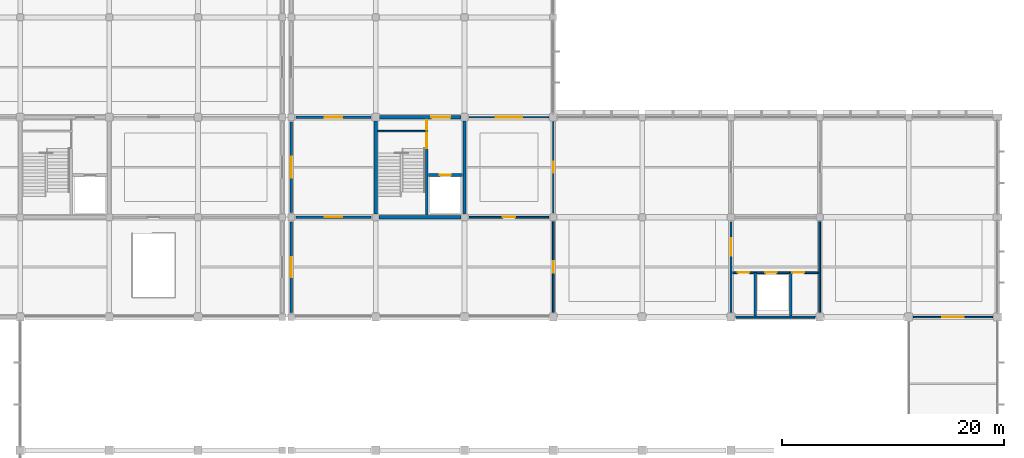
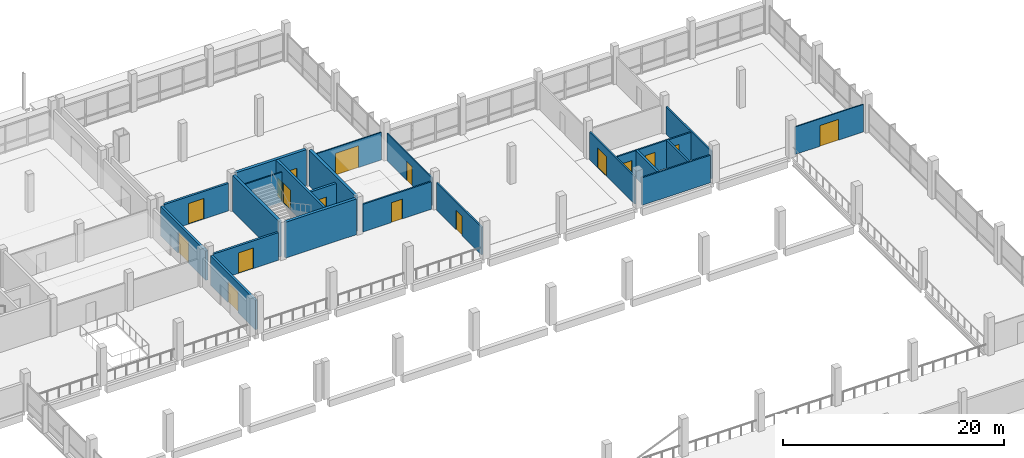
# One storey, part 49 of 57: 22 walls, 17 doors, 17 openings.
"""IFC4 building model written with IfcOpenShell, lengths in metres."""

from ifc_helpers import new_model, si_unit, direction, frame, frame_2d, origin, place, context, subcontext, project, spatial, rectangle, extrude, material, layer, layer_set, type_object, element, fill, save


model = new_model("IFC4")

# Units and contexts
model_context = context("Model", 3, precision=1e-05, world=origin(), true_north=direction((0.0, 1.0)))
body_context = subcontext(model_context, "Body", "Model", "MODEL_VIEW")
ifc_project = project(units=[si_unit("LENGTHUNIT", "METRE"), si_unit("AREAUNIT", "SQUARE_METRE"), si_unit("VOLUMEUNIT", "CUBIC_METRE"), si_unit("PLANEANGLEUNIT", "RADIAN"), si_unit("MASSUNIT", "GRAM", prefix="KILO"), si_unit("THERMODYNAMICTEMPERATUREUNIT", "KELVIN"), si_unit("POWERUNIT", "WATT")], contexts=[model_context])

# Site, building, storey
site_placement = place(None, origin())
site = spatial("IfcSite", under=ifc_project, at=site_placement, CompositionType="ELEMENT")
building_placement = place(site_placement, origin())
building = spatial("IfcBuilding", under=site, at=building_placement, Name="Kronsvod Quay Wholesale Market", CompositionType="ELEMENT")
storey_placement = place(building_placement, frame((0.0, 0.0, 4.800048828125)))
storey = spatial("IfcBuildingStorey", under=building, at=storey_placement, Name="L01", CompositionType="ELEMENT", Elevation=4.800048828125)

# Wall
ifc_material_1 = material(Name="Concrete C35/45", Category="concrete")
ifc_layer_1 = layer(ifc_material_1, 0.300048828125)
ifc_layer_set_1 = layer_set([ifc_layer_1], Name="Concrete C35/45")
wall_type_1 = type_object("IfcWallType", Name="Wall_CoreShear300", PredefinedType="SHEAR", material=ifc_layer_set_1)
wall_1_placement = place(storey_placement, frame((136.294921875, 99.0, 0.0), z_axis=(0.0, 0.0, 1.0), x_axis=(1.0, 0.0, 0.0)))
element("IfcWall", 1, at=wall_1_placement, inside=storey, type_object=wall_type_1, Name="CW-C10-L01-S", PredefinedType="SHEAR", context=body_context, shape_type="SweptSolid", body=[
    extrude(rectangle(XDim=7.41015625, YDim=0.300048828125, at=frame_2d((3.705078125, 0.0))), origin(), (0.0, 0.0, 1.0), 3.954833984375),
])

# Wall, opening, door
wall_2_placement = place(storey_placement, frame((136.320068359375, 108.0, 0.0), z_axis=(0.0, 0.0, 1.0), x_axis=(1.0, 0.0, 0.0)))
wall_2 = element("IfcWall", 2, at=wall_2_placement, inside=storey, type_object=wall_type_1, Name="CW-C10-L01-N", PredefinedType="SHEAR", context=body_context, shape_type="SweptSolid", body=[
    extrude(rectangle(XDim=7.35986328125, YDim=0.300048828125, at=frame_2d((3.679931640625, 0.0))), origin(), (0.0, 0.0, 1.0), 3.954833984375),
])
opening_1_placement = place(wall_2_placement, frame((4.699951171875, 0.0, 0.0)))
opening_1 = element("IfcOpeningElement", 3, at=opening_1_placement, cuts=wall_2, Name="Opening D-0112", PredefinedType="OPENING", context=body_context, shape_type="SweptSolid", body=[
    extrude(rectangle(XDim=1.699951171875, YDim=2.25, at=frame_2d((0.85009765625, 1.125))), frame((0.0, 0.16015625, 0.0), z_axis=(0.0, -1.0, 0.0), x_axis=(1.0, 0.0, 0.0)), (0.0, 0.0, 1.0), 0.320068359375),
])
ifc_material_2 = material(Name="Painted galvanized fire steel", Category="steel")
door_type_1 = type_object("IfcDoorType", Name="Door_FireLobby170x225", OperationType="DOUBLE_DOOR_SINGLE_SWING", PredefinedType="DOOR", material=ifc_material_2)
door_1_placement = place(opening_1_placement, origin())
door_1 = element("IfcDoor", 4, at=door_1_placement, inside=storey, type_object=door_type_1, Name="Core Lobby Door D-0112", OperationType="DOUBLE_DOOR_SINGLE_SWING", OverallHeight=2.25, OverallWidth=1.699951171875, PredefinedType="DOOR", context=body_context, shape_type="SweptSolid", body=[
    extrude(rectangle(XDim=1.699951171875, YDim=2.25, at=frame_2d((0.85009765625, 1.125))), frame((0.0, 0.02490234375, 0.0), z_axis=(0.0, -1.0, 0.0), x_axis=(1.0, 0.0, 0.0)), (0.0, 0.0, 1.0), 0.050048828125),
])
fill(opening_1, door_1)

# Walls
for number, where, z_axis, x_axis, name in (
    (5, (136.0, 99.294921875, 0.0), (0.0, 0.0, 1.0), (0.0, 1.0, 0.0), "CW-C10-L01-W"),
    (6, (144.0, 99.294921875, 0.0), (0.0, 0.0, 1.0), (0.0, 1.0, 0.0), "CW-C10-L01-E"),
):
    element("IfcWall", number, at=place(storey_placement, frame(where, z_axis=z_axis, x_axis=x_axis)), inside=storey, type_object=wall_type_1, Name=name, PredefinedType="SHEAR", context=body_context, shape_type="SweptSolid", body=[
        extrude(rectangle(XDim=8.385009765625, YDim=0.300048828125, at=frame_2d((4.1923828125, 0.0))), origin(), (0.0, 0.0, 1.0), 3.954833984375),
    ])

# Wall, opening, door
ifc_material_3 = material(Name="Precast concrete C40/50", Category="concrete")
ifc_layer_2 = layer(ifc_material_3, 0.239990234375)
ifc_layer_set_2 = layer_set([ifc_layer_2], Name="Precast concrete C40/50")
wall_type_2 = type_object("IfcWallType", Name="Wall_ExtSpandrel240", PredefinedType="SOLIDWALL", material=ifc_layer_set_2)
wall_3_placement = place(storey_placement, frame((128.39990234375, 90.419921875, 0.0), z_axis=(0.0, 0.0, 1.0), x_axis=(0.0, 1.0, 0.0)))
wall_3 = element("IfcWall", 7, at=wall_3_placement, inside=storey, type_object=wall_type_2, Name="MJWG-L01-1284-900", PredefinedType="SOLIDWALL", context=body_context, shape_type="SweptSolid", body=[
    extrude(rectangle(XDim=8.16015625, YDim=0.239990234375, at=frame_2d((4.080078125, 0.0))), origin(), (0.0, 0.0, 1.0), 3.239990234375),
])
opening_2_placement = place(wall_3_placement, frame((3.179931640625, 0.0, 0.0)))
opening_2 = element("IfcOpeningElement", 8, at=opening_2_placement, cuts=wall_3, Name="Opening D-0370", PredefinedType="OPENING", context=body_context, shape_type="SweptSolid", body=[
    extrude(rectangle(XDim=1.800048828125, YDim=2.300048828125, at=frame_2d((0.89990234375, 1.14990234375))), frame((0.0, 0.1298828125, 0.0), z_axis=(0.0, -1.0, 0.0), x_axis=(1.0, 0.0, 0.0)), (0.0, 0.0, 1.0), 0.260009765625),
])
ifc_material_4 = material(Name="Painted galvanized fire steel", Category="steel")
door_type_2 = type_object("IfcDoorType", Name="Door_FireComp180x230", OperationType="DOUBLE_DOOR_SINGLE_SWING", PredefinedType="DOOR", material=ifc_material_4)
door_2_placement = place(opening_2_placement, origin())
door_2 = element("IfcDoor", 9, at=door_2_placement, inside=storey, type_object=door_type_2, Name="Fire Compartment Door D-0370", OperationType="DOUBLE_DOOR_SINGLE_SWING", OverallHeight=2.300048828125, OverallWidth=1.800048828125, PredefinedType="DOOR", context=body_context, shape_type="SweptSolid", body=[
    extrude(rectangle(XDim=1.800048828125, YDim=2.300048828125, at=frame_2d((0.89990234375, 1.14990234375))), frame((0.0, 0.02490234375, 0.0), z_axis=(0.0, -1.0, 0.0), x_axis=(1.0, 0.0, 0.0)), (0.0, 0.0, 1.0), 0.050048828125),
])
fill(opening_2, door_2)

wall_4_placement = place(storey_placement, frame((128.39990234375, 99.419921875, 0.0), z_axis=(0.0, 0.0, 1.0), x_axis=(0.0, 1.0, 0.0)))
wall_4 = element("IfcWall", 10, at=wall_4_placement, inside=storey, type_object=wall_type_2, Name="MJWG-L01-1284-990", PredefinedType="SOLIDWALL", context=body_context, shape_type="SweptSolid", body=[
    extrude(rectangle(XDim=8.16015625, YDim=0.239990234375, at=frame_2d((4.080078125, 0.0))), origin(), (0.0, 0.0, 1.0), 3.239990234375),
])
opening_3_placement = place(wall_4_placement, frame((3.1298828125, 0.0, 0.0)))
opening_3 = element("IfcOpeningElement", 11, at=opening_3_placement, cuts=wall_4, Name="Opening D-0371", PredefinedType="OPENING", context=body_context, shape_type="SweptSolid", body=[
    extrude(rectangle(XDim=1.89990234375, YDim=2.35009765625, at=frame_2d((0.949951171875, 1.175048828125))), frame((0.0, 0.1298828125, 0.0), z_axis=(0.0, -1.0, 0.0), x_axis=(1.0, 0.0, 0.0)), (0.0, 0.0, 1.0), 0.260009765625),
])
ifc_material_5 = material(Name="Painted galvanized fire steel", Category="steel")
door_type_3 = type_object("IfcDoorType", Name="Door_FireComp190x235", OperationType="DOUBLE_DOOR_SINGLE_SWING", PredefinedType="DOOR", material=ifc_material_5)
door_3_placement = place(opening_3_placement, origin())
door_3 = element("IfcDoor", 12, at=door_3_placement, inside=storey, type_object=door_type_3, Name="Fire Compartment Door D-0371", OperationType="DOUBLE_DOOR_SINGLE_SWING", OverallHeight=2.35009765625, OverallWidth=1.89990234375, PredefinedType="DOOR", context=body_context, shape_type="SweptSolid", body=[
    extrude(rectangle(XDim=1.89990234375, YDim=2.35009765625, at=frame_2d((0.949951171875, 1.175048828125))), frame((0.0, 0.02490234375, 0.0), z_axis=(0.0, -1.0, 0.0), x_axis=(1.0, 0.0, 0.0)), (0.0, 0.0, 1.0), 0.050048828125),
])
fill(opening_3, door_3)

# Walls
ifc_material_6 = material(Name="Concrete C35/45", Category="concrete")
ifc_layer_3 = layer(ifc_material_6, 0.219970703125)
ifc_layer_set_3 = layer_set([ifc_layer_3], Name="Concrete C35/45")
wall_type_3 = type_object("IfcWallType", Name="Wall_FireComp220", PredefinedType="SOLIDWALL", material=ifc_layer_set_3)
for number, where, z_axis, x_axis, name in (
    (13, (170.199951171875, 90.080078125, 0.0), (0.0, 0.0, 1.0), (0.0, 1.0, 0.0), "LFX-L01-W1"),
    (14, (173.39990234375, 90.080078125, 0.0), (0.0, 0.0, 1.0), (0.0, 1.0, 0.0), "LFX-L01-W2"),
):
    element("IfcWall", number, at=place(storey_placement, frame(where, z_axis=z_axis, x_axis=x_axis)), inside=storey, type_object=wall_type_3, Name=name, PredefinedType="SOLIDWALL", context=body_context, shape_type="SweptSolid", body=[
        extrude(rectangle(XDim=3.919921875, YDim=0.219970703125, at=frame_2d((1.9599609375, 0.0))), origin(), (0.0, 0.0, 1.0), 3.050048828125),
    ])

# Wall, opening, door
wall_5_placement = place(storey_placement, frame((128.820068359375, 99.0, 0.0), z_axis=(0.0, 0.0, 1.0), x_axis=(1.0, 0.0, 0.0)))
wall_5 = element("IfcWall", 15, at=wall_5_placement, inside=storey, type_object=wall_type_3, Name="PW-L01-0076", PredefinedType="SOLIDWALL", context=body_context, shape_type="SweptSolid", body=[
    extrude(rectangle(XDim=6.760009765625, YDim=0.219970703125, at=frame_2d((3.3798828125, 0.0))), origin(), (0.0, 0.0, 1.0), 3.050048828125),
])
opening_4_placement = place(wall_5_placement, frame((2.580078125, 0.0, 0.0)))
opening_4 = element("IfcOpeningElement", 16, at=opening_4_placement, cuts=wall_5, Name="Opening D-0258", PredefinedType="OPENING", context=body_context, shape_type="SweptSolid", body=[
    extrude(rectangle(XDim=1.60009765625, YDim=2.280029296875, at=frame_2d((0.800048828125, 1.14013671875))), frame((0.0, 0.1201171875, 0.0), z_axis=(0.0, -1.0, 0.0), x_axis=(1.0, 0.0, 0.0)), (0.0, 0.0, 1.0), 0.239990234375),
])
ifc_material_7 = material(Name="Painted steel plant door", Category="steel")
door_type_4 = type_object("IfcDoorType", Name="Door_Plant160x228", OperationType="DOUBLE_DOOR_SINGLE_SWING", PredefinedType="DOOR", material=ifc_material_7)
door_4_placement = place(opening_4_placement, origin())
door_4 = element("IfcDoor", 17, at=door_4_placement, inside=storey, type_object=door_type_4, Name="Interior Door D-0258", OperationType="DOUBLE_DOOR_SINGLE_SWING", OverallHeight=2.280029296875, OverallWidth=1.60009765625, PredefinedType="DOOR", context=body_context, shape_type="SweptSolid", body=[
    extrude(rectangle(XDim=1.60009765625, YDim=2.280029296875, at=frame_2d((0.800048828125, 1.14013671875))), frame((0.0, 0.02490234375, 0.0), z_axis=(0.0, -1.0, 0.0), x_axis=(1.0, 0.0, 0.0)), (0.0, 0.0, 1.0), 0.050048828125),
])
fill(opening_4, door_4)

wall_6_placement = place(storey_placement, frame((128.820068359375, 108.0, 0.0), z_axis=(0.0, 0.0, 1.0), x_axis=(1.0, 0.0, 0.0)))
wall_6 = element("IfcWall", 18, at=wall_6_placement, inside=storey, type_object=wall_type_3, Name="PW-L01-0088", PredefinedType="SOLIDWALL", context=body_context, shape_type="SweptSolid", body=[
    extrude(rectangle(XDim=6.760009765625, YDim=0.219970703125, at=frame_2d((3.3798828125, 0.0))), origin(), (0.0, 0.0, 1.0), 3.050048828125),
])
opening_5_placement = place(wall_6_placement, frame((2.580078125, 0.0, 0.0)))
opening_5 = element("IfcOpeningElement", 19, at=opening_5_placement, cuts=wall_6, Name="Opening D-0267", PredefinedType="OPENING", context=body_context, shape_type="SweptSolid", body=[
    extrude(rectangle(XDim=1.60009765625, YDim=2.280029296875, at=frame_2d((0.800048828125, 1.14013671875))), frame((0.0, 0.1201171875, 0.0), z_axis=(0.0, -1.0, 0.0), x_axis=(1.0, 0.0, 0.0)), (0.0, 0.0, 1.0), 0.239990234375),
])
door_5_placement = place(opening_5_placement, origin())
door_5 = element("IfcDoor", 20, at=door_5_placement, inside=storey, type_object=door_type_4, Name="Interior Door D-0267", OperationType="DOUBLE_DOOR_SINGLE_SWING", OverallHeight=2.280029296875, OverallWidth=1.60009765625, PredefinedType="DOOR", context=body_context, shape_type="SweptSolid", body=[
    extrude(rectangle(XDim=1.60009765625, YDim=2.280029296875, at=frame_2d((0.800048828125, 1.14013671875))), frame((0.0, 0.02490234375, 0.0), z_axis=(0.0, -1.0, 0.0), x_axis=(1.0, 0.0, 0.0)), (0.0, 0.0, 1.0), 0.050048828125),
])
fill(opening_5, door_5)

ifc_material_8 = material(Name="Fire-rated corridor gypsum partition")
ifc_layer_4 = layer(ifc_material_8, 0.159912109375)
ifc_layer_set_4 = layer_set([ifc_layer_4], Name="Fire-rated corridor gypsum partition")
wall_type_4 = type_object("IfcWallType", Name="Wall_PartCorridor160", PredefinedType="PARTITIONING", material=ifc_layer_set_4)
wall_7_placement = place(storey_placement, frame((168.0, 90.419921875, 0.0), z_axis=(0.0, 0.0, 1.0), x_axis=(0.0, 1.0, 0.0)))
wall_7 = element("IfcWall", 21, at=wall_7_placement, inside=storey, type_object=wall_type_4, Name="LFX-L01-WW", PredefinedType="PARTITIONING", context=body_context, shape_type="SweptSolid", body=[
    extrude(rectangle(XDim=8.16015625, YDim=0.159912109375, at=frame_2d((4.080078125, 0.0))), origin(), (0.0, 0.0, 1.0), 3.050048828125),
])
opening_6_placement = place(wall_7_placement, frame((5.10009765625, 0.0, 0.0)))
opening_6 = element("IfcOpeningElement", 22, at=opening_6_placement, cuts=wall_7, Name="Opening D-0125", PredefinedType="OPENING", context=body_context, shape_type="SweptSolid", body=[
    extrude(rectangle(XDim=1.60009765625, YDim=2.199951171875, at=frame_2d((0.800048828125, 1.10009765625))), frame((0.0, 0.08984375, 0.0), z_axis=(0.0, -1.0, 0.0), x_axis=(1.0, 0.0, 0.0)), (0.0, 0.0, 1.0), 0.179931640625),
])
ifc_material_9 = material(Name="Painted galvanized fire steel", Category="steel")
door_type_5 = type_object("IfcDoorType", Name="Door_FireLobby160x220", OperationType="DOUBLE_DOOR_SINGLE_SWING", PredefinedType="DOOR", material=ifc_material_9)
door_6_placement = place(opening_6_placement, origin())
door_6 = element("IfcDoor", 23, at=door_6_placement, inside=storey, type_object=door_type_5, Name="Lift Lobby Door D-0125", OperationType="DOUBLE_DOOR_SINGLE_SWING", OverallHeight=2.199951171875, OverallWidth=1.60009765625, PredefinedType="DOOR", context=body_context, shape_type="SweptSolid", body=[
    extrude(rectangle(XDim=1.60009765625, YDim=2.199951171875, at=frame_2d((0.800048828125, 1.10009765625))), frame((0.0, 0.02490234375, 0.0), z_axis=(0.0, -1.0, 0.0), x_axis=(1.0, 0.0, 0.0)), (0.0, 0.0, 1.0), 0.050048828125),
])
fill(opening_6, door_6)

# Walls
wall_8_placement = place(storey_placement, frame((176.0, 90.419921875, 0.0), z_axis=(0.0, 0.0, 1.0), x_axis=(0.0, 1.0, 0.0)))
element("IfcWall", 24, at=wall_8_placement, inside=storey, type_object=wall_type_4, Name="LFX-L01-WE", PredefinedType="PARTITIONING", context=body_context, shape_type="SweptSolid", body=[
    extrude(rectangle(XDim=8.16015625, YDim=0.159912109375, at=frame_2d((4.080078125, 0.0))), origin(), (0.0, 0.0, 1.0), 3.050048828125),
])
wall_9_placement = place(storey_placement, frame((168.419921875, 90.0, 0.0), z_axis=(0.0, 0.0, 1.0), x_axis=(1.0, 0.0, 0.0)))
element("IfcWall", 25, at=wall_9_placement, inside=storey, type_object=wall_type_4, Name="LFX-L01-WS", PredefinedType="PARTITIONING", context=body_context, shape_type="SweptSolid", body=[
    extrude(rectangle(XDim=7.16015625, YDim=0.159912109375, at=frame_2d((3.580078125, 0.0))), origin(), (0.0, 0.0, 1.0), 3.050048828125),
])

# Wall, openings, doors
wall_10_placement = place(storey_placement, frame((168.159912109375, 94.0, 0.0), z_axis=(0.0, 0.0, 1.0), x_axis=(1.0, 0.0, 0.0)))
wall_10 = element("IfcWall", 26, at=wall_10_placement, inside=storey, type_object=wall_type_4, Name="LFX-L01-WF", PredefinedType="PARTITIONING", context=body_context, shape_type="SweptSolid", body=[
    extrude(rectangle(XDim=7.68017578125, YDim=0.159912109375, at=frame_2d((3.840087890625, 0.0))), origin(), (0.0, 0.0, 1.0), 3.050048828125),
])
opening_7_placement = place(wall_10_placement, frame((0.449951171875, 0.0, 0.0)))
opening_7 = element("IfcOpeningElement", 27, at=opening_7_placement, cuts=wall_10, Name="Opening D-0122", PredefinedType="OPENING", context=body_context, shape_type="SweptSolid", body=[
    extrude(rectangle(XDim=1.050048828125, YDim=2.10009765625, at=frame_2d((0.52490234375, 1.050048828125))), frame((0.0, 0.08984375, 0.0), z_axis=(0.0, -1.0, 0.0), x_axis=(1.0, 0.0, 0.0)), (0.0, 0.0, 1.0), 0.179931640625),
])
opening_8_placement = place(wall_10_placement, frame((2.949951171875, 0.0, 0.0)))
opening_8 = element("IfcOpeningElement", 28, at=opening_8_placement, cuts=wall_10, Name="Opening D-0123", PredefinedType="OPENING", context=body_context, shape_type="SweptSolid", body=[
    extrude(rectangle(XDim=1.0, YDim=2.14990234375, at=frame_2d((0.5, 1.074951171875))), frame((0.0, 0.08984375, 0.0), z_axis=(0.0, -1.0, 0.0), x_axis=(1.0, 0.0, 0.0)), (0.0, 0.0, 1.0), 0.179931640625),
])
opening_9_placement = place(wall_10_placement, frame((5.35009765625, 0.0, 0.0)))
opening_9 = element("IfcOpeningElement", 29, at=opening_9_placement, cuts=wall_10, Name="Opening D-0124", PredefinedType="OPENING", context=body_context, shape_type="SweptSolid", body=[
    extrude(rectangle(XDim=1.10009765625, YDim=2.14990234375, at=frame_2d((0.550048828125, 1.074951171875))), frame((0.0, 0.08984375, 0.0), z_axis=(0.0, -1.0, 0.0), x_axis=(1.0, 0.0, 0.0)), (0.0, 0.0, 1.0), 0.179931640625),
])
ifc_material_10 = material(Name="Accessible outward-swing laminate door", Category="wood")
door_type_6 = type_object("IfcDoorType", Name="Door_AccWC108x212", OperationType="NOTDEFINED", PredefinedType="DOOR", material=ifc_material_10)
door_7_placement = place(opening_7_placement, origin())
door_7 = element("IfcDoor", 30, at=door_7_placement, inside=storey, type_object=door_type_6, Name="Accessible WC Door D-0122", OperationType="SINGLE_SWING_LEFT", OverallHeight=2.10009765625, OverallWidth=1.050048828125, PredefinedType="DOOR", context=body_context, shape_type="SweptSolid", body=[
    extrude(rectangle(XDim=1.050048828125, YDim=2.10009765625, at=frame_2d((0.52490234375, 1.050048828125))), frame((0.0, 0.02490234375, 0.0), z_axis=(0.0, -1.0, 0.0), x_axis=(1.0, 0.0, 0.0)), (0.0, 0.0, 1.0), 0.050048828125),
])
fill(opening_7, door_7)
ifc_material_11 = material(Name="Brushed stainless steel", Category="steel")
door_type_7 = type_object("IfcDoorType", Name="Door_LiftLandingPax", OperationType="SLIDING_TO_LEFT", PredefinedType="DOOR", material=ifc_material_11)
door_8_placement = place(opening_8_placement, origin())
door_8 = element("IfcDoor", 31, at=door_8_placement, inside=storey, type_object=door_type_7, Name="Lift Landing Door LFT-P06 L01", OperationType="SLIDING_TO_LEFT", OverallHeight=2.14990234375, OverallWidth=1.0, PredefinedType="DOOR", context=body_context, shape_type="SweptSolid", body=[
    extrude(rectangle(XDim=1.0, YDim=2.14990234375, at=frame_2d((0.5, 1.074951171875))), frame((0.0, 0.02490234375, 0.0), z_axis=(0.0, -1.0, 0.0), x_axis=(1.0, 0.0, 0.0)), (0.0, 0.0, 1.0), 0.050048828125),
])
fill(opening_8, door_8)
ifc_material_12 = material(Name="Painted steel store door", Category="steel")
door_type_8 = type_object("IfcDoorType", Name="Door_Store110x215", OperationType="NOTDEFINED", PredefinedType="DOOR", material=ifc_material_12)
door_9_placement = place(opening_9_placement, origin())
door_9 = element("IfcDoor", 32, at=door_9_placement, inside=storey, type_object=door_type_8, Name="Cleaners' Store Door D-0124", OperationType="SINGLE_SWING_RIGHT", OverallHeight=2.14990234375, OverallWidth=1.10009765625, PredefinedType="DOOR", context=body_context, shape_type="SweptSolid", body=[
    extrude(rectangle(XDim=1.10009765625, YDim=2.14990234375, at=frame_2d((0.550048828125, 1.074951171875))), frame((0.0, 0.02490234375, 0.0), z_axis=(0.0, -1.0, 0.0), x_axis=(1.0, 0.0, 0.0)), (0.0, 0.0, 1.0), 0.050048828125),
])
fill(opening_9, door_9)

# Wall, opening, door
wall_11_placement = place(storey_placement, frame((152.0, 90.419921875, 0.0), z_axis=(0.0, 0.0, 1.0), x_axis=(0.0, 1.0, 0.0)))
wall_11 = element("IfcWall", 33, at=wall_11_placement, inside=storey, type_object=wall_type_4, Name="PW-L01-0064", PredefinedType="PARTITIONING", context=body_context, shape_type="SweptSolid", body=[
    extrude(rectangle(XDim=8.16015625, YDim=0.159912109375, at=frame_2d((4.080078125, 0.0))), origin(), (0.0, 0.0, 1.0), 3.050048828125),
])
opening_10_placement = place(wall_11_placement, frame((3.554931640625, 0.0, 0.0)))
opening_10 = element("IfcOpeningElement", 34, at=opening_10_placement, cuts=wall_11, Name="Opening D-0249", PredefinedType="OPENING", context=body_context, shape_type="SweptSolid", body=[
    extrude(rectangle(XDim=1.050048828125, YDim=2.14990234375, at=frame_2d((0.52490234375, 1.074951171875))), frame((0.0, 0.08984375, 0.0), z_axis=(0.0, -1.0, 0.0), x_axis=(1.0, 0.0, 0.0)), (0.0, 0.0, 1.0), 0.179931640625),
])
ifc_material_13 = material(Name="Solid-core timber office door", Category="wood")
door_type_9 = type_object("IfcDoorType", Name="Door_Office105x215", OperationType="NOTDEFINED", PredefinedType="DOOR", material=ifc_material_13)
door_10_placement = place(opening_10_placement, origin())
door_10 = element("IfcDoor", 35, at=door_10_placement, inside=storey, type_object=door_type_9, Name="Interior Door D-0249", OperationType="SINGLE_SWING_LEFT", OverallHeight=2.14990234375, OverallWidth=1.050048828125, PredefinedType="DOOR", context=body_context, shape_type="SweptSolid", body=[
    extrude(rectangle(XDim=1.050048828125, YDim=2.14990234375, at=frame_2d((0.52490234375, 1.074951171875))), frame((0.0, 0.02490234375, 0.0), z_axis=(0.0, -1.0, 0.0), x_axis=(1.0, 0.0, 0.0)), (0.0, 0.0, 1.0), 0.050048828125),
])
fill(opening_10, door_10)

wall_12_placement = place(storey_placement, frame((144.419921875, 99.0, 0.0), z_axis=(0.0, 0.0, 1.0), x_axis=(1.0, 0.0, 0.0)))
wall_12 = element("IfcWall", 36, at=wall_12_placement, inside=storey, type_object=wall_type_4, Name="PW-L01-0077", PredefinedType="PARTITIONING", context=body_context, shape_type="SweptSolid", body=[
    extrude(rectangle(XDim=7.16015625, YDim=0.159912109375, at=frame_2d((3.580078125, 0.0))), origin(), (0.0, 0.0, 1.0), 3.050048828125),
])
opening_11_placement = place(wall_12_placement, frame((3.010009765625, 0.0, 0.0)))
opening_11 = element("IfcOpeningElement", 37, at=opening_11_placement, cuts=wall_12, Name="Opening D-0259", PredefinedType="OPENING", context=body_context, shape_type="SweptSolid", body=[
    extrude(rectangle(XDim=1.139892578125, YDim=2.18994140625, at=frame_2d((0.56982421875, 1.094970703125))), frame((0.0, 0.08984375, 0.0), z_axis=(0.0, -1.0, 0.0), x_axis=(1.0, 0.0, 0.0)), (0.0, 0.0, 1.0), 0.179931640625),
])
ifc_material_14 = material(Name="Solid-core timber office door", Category="wood")
door_type_10 = type_object("IfcDoorType", Name="Door_Office114x219", OperationType="NOTDEFINED", PredefinedType="DOOR", material=ifc_material_14)
door_11_placement = place(opening_11_placement, origin())
door_11 = element("IfcDoor", 38, at=door_11_placement, inside=storey, type_object=door_type_10, Name="Interior Door D-0259", OperationType="SINGLE_SWING_LEFT", OverallHeight=2.18994140625, OverallWidth=1.139892578125, PredefinedType="DOOR", context=body_context, shape_type="SweptSolid", body=[
    extrude(rectangle(XDim=1.139892578125, YDim=2.18994140625, at=frame_2d((0.56982421875, 1.094970703125))), frame((0.0, 0.02490234375, 0.0), z_axis=(0.0, -1.0, 0.0), x_axis=(1.0, 0.0, 0.0)), (0.0, 0.0, 1.0), 0.050048828125),
])
fill(opening_11, door_11)

ifc_material_15 = material(Name="Framed acoustic glass hall partition", Category="glass")
ifc_layer_5 = layer(ifc_material_15, 0.114990234375)
ifc_layer_set_5 = layer_set([ifc_layer_5], Name="Framed acoustic glass hall partition")
wall_type_5 = type_object("IfcWallType", Name="Wall_PartGlazed115", PredefinedType="PARTITIONING", material=ifc_layer_set_5)
wall_13_placement = place(storey_placement, frame((184.419921875, 90.0, 0.0), z_axis=(0.0, 0.0, 1.0), x_axis=(1.0, 0.0, 0.0)))
wall_13 = element("IfcWall", 39, at=wall_13_placement, inside=storey, type_object=wall_type_5, Name="PW-L01-0062", PredefinedType="PARTITIONING", context=body_context, shape_type="SweptSolid", body=[
    extrude(rectangle(XDim=7.16015625, YDim=0.114990234375, at=frame_2d((3.580078125, 0.0))), origin(), (0.0, 0.0, 1.0), 3.050048828125),
])
opening_12_placement = place(wall_13_placement, frame((2.60498046875, 0.0, 0.0)))
opening_12 = element("IfcOpeningElement", 40, at=opening_12_placement, cuts=wall_13, Name="Opening D-0247", PredefinedType="OPENING", context=body_context, shape_type="SweptSolid", body=[
    extrude(rectangle(XDim=1.949951171875, YDim=2.300048828125, at=frame_2d((0.97509765625, 1.14990234375))), frame((0.0, 0.0673828125, 0.0), z_axis=(0.0, -1.0, 0.0), x_axis=(1.0, 0.0, 0.0)), (0.0, 0.0, 1.0), 0.135009765625),
])
ifc_material_16 = material(Name="Glazed aluminium hall portal", Category="aluminium")
door_type_11 = type_object("IfcDoorType", Name="Door_HallPortal195x230", OperationType="DOUBLE_DOOR_SINGLE_SWING", PredefinedType="DOOR", material=ifc_material_16)
door_12_placement = place(opening_12_placement, origin())
door_12 = element("IfcDoor", 41, at=door_12_placement, inside=storey, type_object=door_type_11, Name="Interior Door D-0247", OperationType="DOUBLE_DOOR_SINGLE_SWING", OverallHeight=2.300048828125, OverallWidth=1.949951171875, PredefinedType="DOOR", context=body_context, shape_type="SweptSolid", body=[
    extrude(rectangle(XDim=1.949951171875, YDim=2.300048828125, at=frame_2d((0.97509765625, 1.14990234375))), frame((0.0, 0.02490234375, 0.0), z_axis=(0.0, -1.0, 0.0), x_axis=(1.0, 0.0, 0.0)), (0.0, 0.0, 1.0), 0.050048828125),
])
fill(opening_12, door_12)

wall_14_placement = place(storey_placement, frame((144.419921875, 108.0, 0.0), z_axis=(0.0, 0.0, 1.0), x_axis=(1.0, 0.0, 0.0)))
wall_14 = element("IfcWall", 42, at=wall_14_placement, inside=storey, type_object=wall_type_5, Name="PW-L01-0089", PredefinedType="PARTITIONING", context=body_context, shape_type="SweptSolid", body=[
    extrude(rectangle(XDim=7.16015625, YDim=0.114990234375, at=frame_2d((3.580078125, 0.0))), origin(), (0.0, 0.0, 1.0), 3.050048828125),
])
opening_13_placement = place(wall_14_placement, frame((2.3798828125, 0.0, 0.0)))
opening_13 = element("IfcOpeningElement", 43, at=opening_13_placement, cuts=wall_14, Name="Opening D-0268", PredefinedType="OPENING", context=body_context, shape_type="SweptSolid", body=[
    extrude(rectangle(XDim=2.39990234375, YDim=2.39990234375, at=frame_2d((1.199951171875, 1.199951171875))), frame((0.0, 0.0673828125, 0.0), z_axis=(0.0, -1.0, 0.0), x_axis=(1.0, 0.0, 0.0)), (0.0, 0.0, 1.0), 0.135009765625),
])
ifc_material_17 = material(Name="Glazed aluminium hall portal", Category="aluminium")
door_type_12 = type_object("IfcDoorType", Name="Door_HallPortal240x240", OperationType="DOUBLE_DOOR_SINGLE_SWING", PredefinedType="DOOR", material=ifc_material_17)
door_13_placement = place(opening_13_placement, origin())
door_13 = element("IfcDoor", 44, at=door_13_placement, inside=storey, type_object=door_type_12, Name="Interior Door D-0268", OperationType="DOUBLE_DOOR_SINGLE_SWING", OverallHeight=2.39990234375, OverallWidth=2.39990234375, PredefinedType="DOOR", context=body_context, shape_type="SweptSolid", body=[
    extrude(rectangle(XDim=2.39990234375, YDim=2.39990234375, at=frame_2d((1.199951171875, 1.199951171875))), frame((0.0, 0.02490234375, 0.0), z_axis=(0.0, -1.0, 0.0), x_axis=(1.0, 0.0, 0.0)), (0.0, 0.0, 1.0), 0.050048828125),
])
fill(opening_13, door_13)

ifc_material_18 = material(Name="Lightweight demountable office partition")
ifc_layer_6 = layer(ifc_material_18, 0.1201171875)
ifc_layer_set_6 = layer_set([ifc_layer_6], Name="Lightweight demountable office partition")
wall_type_6 = type_object("IfcWallType", Name="Wall_PartOffice120", PredefinedType="PARTITIONING", material=ifc_layer_set_6)
wall_15_placement = place(storey_placement, frame((152.0, 99.419921875, 0.0), z_axis=(0.0, 0.0, 1.0), x_axis=(0.0, 1.0, 0.0)))
wall_15 = element("IfcWall", 45, at=wall_15_placement, inside=storey, type_object=wall_type_6, Name="PW-L01-0065", PredefinedType="PARTITIONING", context=body_context, shape_type="SweptSolid", body=[
    extrude(rectangle(XDim=8.16015625, YDim=0.1201171875, at=frame_2d((4.080078125, 0.0))), origin(), (0.0, 0.0, 1.0), 3.050048828125),
])
opening_14_placement = place(wall_15_placement, frame((3.580078125, 0.0, 0.0)))
opening_14 = element("IfcOpeningElement", 46, at=opening_14_placement, cuts=wall_15, Name="Opening D-0250", PredefinedType="OPENING", context=body_context, shape_type="SweptSolid", body=[
    extrude(rectangle(XDim=1.0, YDim=2.10009765625, at=frame_2d((0.5, 1.050048828125))), frame((0.0, 0.070068359375, 0.0), z_axis=(0.0, -1.0, 0.0), x_axis=(1.0, 0.0, 0.0)), (0.0, 0.0, 1.0), 0.14013671875),
])
ifc_material_19 = material(Name="Solid-core timber office door", Category="wood")
door_type_13 = type_object("IfcDoorType", Name="Door_Office100x210", OperationType="NOTDEFINED", PredefinedType="DOOR", material=ifc_material_19)
door_14_placement = place(opening_14_placement, origin())
door_14 = element("IfcDoor", 47, at=door_14_placement, inside=storey, type_object=door_type_13, Name="Interior Door D-0250", OperationType="SINGLE_SWING_RIGHT", OverallHeight=2.10009765625, OverallWidth=1.0, PredefinedType="DOOR", context=body_context, shape_type="SweptSolid", body=[
    extrude(rectangle(XDim=1.0, YDim=2.10009765625, at=frame_2d((0.5, 1.050048828125))), frame((0.0, 0.02490234375, 0.0), z_axis=(0.0, -1.0, 0.0), x_axis=(1.0, 0.0, 0.0)), (0.0, 0.0, 1.0), 0.050048828125),
])
fill(opening_14, door_14)

# Wall
ifc_material_20 = material(Name="Fire-rated shaft riser block wall", Category="masonry")
ifc_layer_7 = layer(ifc_material_20, 0.1298828125)
ifc_layer_set_7 = layer_set([ifc_layer_7], Name="Fire-rated shaft riser block wall")
wall_type_7 = type_object("IfcWallType", Name="Wall_PartRiser130", PredefinedType="PARTITIONING", material=ifc_layer_set_7)
wall_16_placement = place(storey_placement, frame((136.179931640625, 106.75, 0.0), z_axis=(0.0, 0.0, 1.0), x_axis=(1.0, 0.0, 0.0)))
element("IfcWall", 48, at=wall_16_placement, inside=storey, type_object=wall_type_7, Name="CW-C10-L01-RSR", PredefinedType="PARTITIONING", context=body_context, shape_type="SweptSolid", body=[
    extrude(rectangle(XDim=4.280029296875, YDim=0.1298828125, at=frame_2d((2.14013671875, 0.0))), origin(), (0.0, 0.0, 1.0), 3.304931640625),
])

# Wall, openings, doors
ifc_material_21 = material(Name="Concrete C35/45", Category="concrete")
ifc_layer_8 = layer(ifc_material_21, 0.239990234375)
ifc_layer_set_8 = layer_set([ifc_layer_8], Name="Concrete C35/45")
wall_type_8 = type_object("IfcWallType", Name="Wall_ShaftWall240", PredefinedType="SHEAR", material=ifc_layer_set_8)
wall_17_placement = place(storey_placement, frame((140.60009765625, 99.179931640625, 0.0), z_axis=(0.0, 0.0, 1.0), x_axis=(0.0, 1.0, 0.0)))
wall_17 = element("IfcWall", 49, at=wall_17_placement, inside=storey, type_object=wall_type_8, Name="CW-C10-L01-DIV", PredefinedType="SHEAR", context=body_context, shape_type="SweptSolid", body=[
    extrude(rectangle(XDim=8.64013671875, YDim=0.239990234375, at=frame_2d((4.320068359375, 0.0))), origin(), (0.0, 0.0, 1.0), 3.954833984375),
])
opening_15_placement = place(wall_17_placement, frame((6.02001953125, 0.0, 0.0)))
opening_15 = element("IfcOpeningElement", 50, at=opening_15_placement, cuts=wall_17, Name="Opening D-0110", PredefinedType="OPENING", context=body_context, shape_type="SweptSolid", body=[
    extrude(rectangle(XDim=1.39990234375, YDim=2.199951171875, at=frame_2d((0.699951171875, 1.10009765625))), frame((0.0, 0.1298828125, 0.0), z_axis=(0.0, -1.0, 0.0), x_axis=(1.0, 0.0, 0.0)), (0.0, 0.0, 1.0), 0.260009765625),
])
opening_16_placement = place(wall_17_placement, frame((7.679931640625, 0.0, 0.0)))
opening_16 = element("IfcOpeningElement", 51, at=opening_16_placement, cuts=wall_17, Name="Opening D-0111", PredefinedType="OPENING", context=body_context, shape_type="SweptSolid", body=[
    extrude(rectangle(XDim=0.8798828125, YDim=2.02001953125, at=frame_2d((0.43994140625, 1.010009765625))), frame((0.0, 0.1298828125, 0.0), z_axis=(0.0, -1.0, 0.0), x_axis=(1.0, 0.0, 0.0)), (0.0, 0.0, 1.0), 0.260009765625),
])
ifc_material_22 = material(Name="Painted galvanized fire steel", Category="steel")
door_type_14 = type_object("IfcDoorType", Name="Door_FireStair140x220", OperationType="NOTDEFINED", PredefinedType="DOOR", material=ifc_material_22)
door_15_placement = place(opening_15_placement, origin())
door_15 = element("IfcDoor", 52, at=door_15_placement, inside=storey, type_object=door_type_14, Name="Stair Fire Door D-0110", OperationType="SINGLE_SWING_LEFT", OverallHeight=2.199951171875, OverallWidth=1.39990234375, PredefinedType="DOOR", context=body_context, shape_type="SweptSolid", body=[
    extrude(rectangle(XDim=1.39990234375, YDim=2.199951171875, at=frame_2d((0.699951171875, 1.10009765625))), frame((0.0, 0.02490234375, 0.0), z_axis=(0.0, -1.0, 0.0), x_axis=(1.0, 0.0, 0.0)), (0.0, 0.0, 1.0), 0.050048828125),
])
fill(opening_15, door_15)
ifc_material_23 = material(Name="Fire-rated steel riser access door", Category="steel")
door_type_15 = type_object("IfcDoorType", Name="Door_Riser88x202", OperationType="NOTDEFINED", PredefinedType="DOOR", material=ifc_material_23)
door_16_placement = place(opening_16_placement, origin())
door_16 = element("IfcDoor", 53, at=door_16_placement, inside=storey, type_object=door_type_15, Name="Service Riser Door D-0111", OperationType="SINGLE_SWING_RIGHT", OverallHeight=2.02001953125, OverallWidth=0.8798828125, PredefinedType="DOOR", context=body_context, shape_type="SweptSolid", body=[
    extrude(rectangle(XDim=0.8798828125, YDim=2.02001953125, at=frame_2d((0.43994140625, 1.010009765625))), frame((0.0, 0.02490234375, 0.0), z_axis=(0.0, -1.0, 0.0), x_axis=(1.0, 0.0, 0.0)), (0.0, 0.0, 1.0), 0.050048828125),
])
fill(opening_16, door_16)

# Wall, opening, door
wall_18_placement = place(storey_placement, frame((140.75, 102.800048828125, 0.0), z_axis=(0.0, 0.0, 1.0), x_axis=(1.0, 0.0, 0.0)))
wall_18 = element("IfcWall", 54, at=wall_18_placement, inside=storey, type_object=wall_type_8, Name="CW-C10-L01-LSH", PredefinedType="SHEAR", context=body_context, shape_type="SweptSolid", body=[
    extrude(rectangle(XDim=3.070068359375, YDim=0.239990234375, at=frame_2d((1.53515625, 0.0))), origin(), (0.0, 0.0, 1.0), 3.304931640625),
])
opening_17_placement = place(wall_18_placement, frame((1.034912109375, 0.0, 0.0)))
opening_17 = element("IfcOpeningElement", 55, at=opening_17_placement, cuts=wall_18, Name="Opening D-0113", PredefinedType="OPENING", context=body_context, shape_type="SweptSolid", body=[
    extrude(rectangle(XDim=1.0, YDim=2.14990234375, at=frame_2d((0.5, 1.074951171875))), frame((0.0, 0.1298828125, 0.0), z_axis=(0.0, -1.0, 0.0), x_axis=(1.0, 0.0, 0.0)), (0.0, 0.0, 1.0), 0.260009765625),
])
door_17_placement = place(opening_17_placement, origin())
door_17 = element("IfcDoor", 56, at=door_17_placement, inside=storey, type_object=door_type_7, Name="Lift Landing Door LFT-P05 L01", OperationType="SLIDING_TO_LEFT", OverallHeight=2.14990234375, OverallWidth=1.0, PredefinedType="DOOR", context=body_context, shape_type="SweptSolid", body=[
    extrude(rectangle(XDim=1.0, YDim=2.14990234375, at=frame_2d((0.5, 1.074951171875))), frame((0.0, 0.02490234375, 0.0), z_axis=(0.0, -1.0, 0.0), x_axis=(1.0, 0.0, 0.0)), (0.0, 0.0, 1.0), 0.050048828125),
])
fill(opening_17, door_17)

save(model, "model.ifc")
